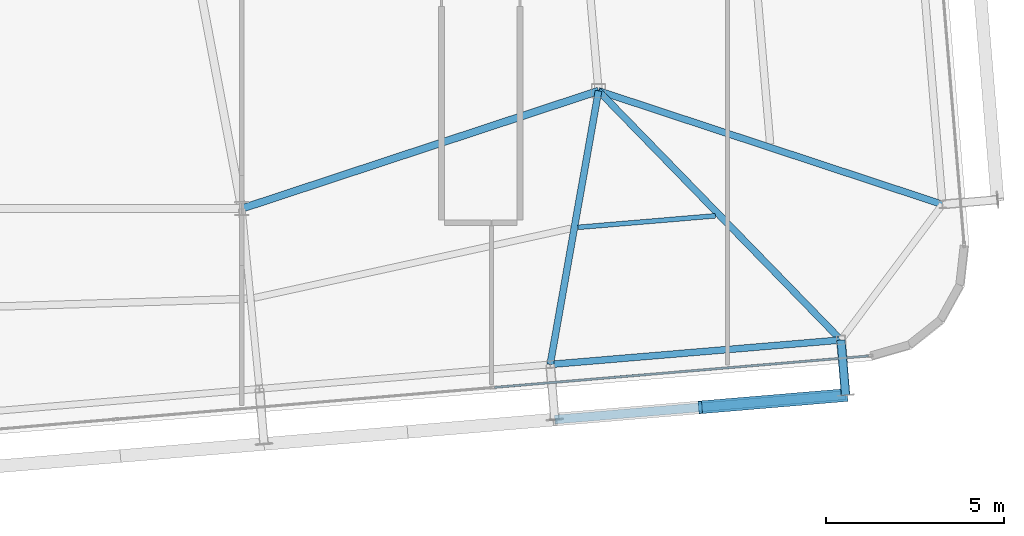
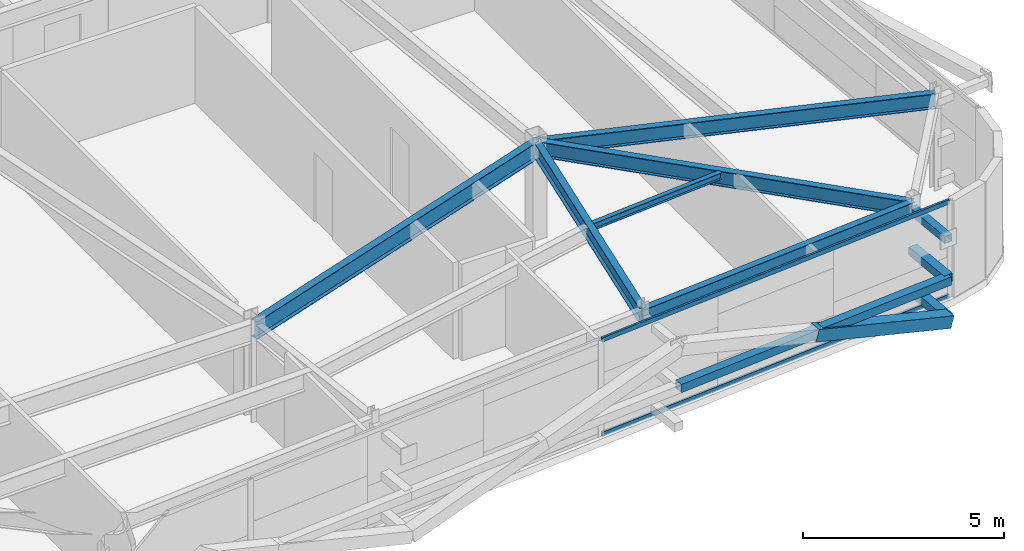
# One storey, part 17 of 37: 7 members, 6 beams, 1 element without a shape of its own.
"""IFC4 building model written with IfcOpenShell, lengths in metres."""

from ifc_helpers import new_model, si_unit, direction, frame, origin, origin_2d, place, context, subcontext, project, spatial, hollow_rectangle, i_section, extrude, source, transform, mapped, material, layer, layer_set, material_profile, profile_set, type_object, element, aggregate, save


model = new_model("IFC4")

# Units and contexts
model_context = context("Model", 3, precision=1e-05, world=origin(), true_north=direction((0.0, 1.0)))
body_context = subcontext(model_context, "Body", "Model", "MODEL_VIEW")
ifc_project = project(units=[si_unit("LENGTHUNIT", "METRE"), si_unit("AREAUNIT", "SQUARE_METRE"), si_unit("VOLUMEUNIT", "CUBIC_METRE"), si_unit("PLANEANGLEUNIT", "RADIAN"), si_unit("MASSUNIT", "GRAM", prefix="KILO")], contexts=[model_context])

# Site, building, storey
site_placement = place(None, origin())
site = spatial("IfcSite", under=ifc_project, at=site_placement, CompositionType="ELEMENT")
building_placement = place(site_placement, origin())
building = spatial("IfcBuilding", under=site, at=building_placement, Name="Taldren Reach Tower", CompositionType="ELEMENT")
storey_placement = place(building_placement, frame((0.0, 0.0, 182.0)))
storey = spatial("IfcBuildingStorey", under=building, at=storey_placement, Name="L55", CompositionType="ELEMENT", Elevation=182.0)

# Beam
ifc_material_1 = material(Name="Steel Gr 350 (350PLUS)", Category="steel")
ifc_material_profile_1 = material_profile(ifc_material_1, i_section(OverallWidth=0.208984375, OverallDepth=0.532958984375, WebThickness=0.01025390625, FlangeThickness=0.015625, at=origin_2d()), Name="530UB92.4")
ifc_profile_set_1 = profile_set([ifc_material_profile_1], Name="Steel Gr 350 (350PLUS)")
beam_type_1 = type_object("IfcBeamType", Name="BM-UB530A", PredefinedType="BEAM", material=ifc_profile_set_1)
shared_shape_1 = source(origin(), body_context, "Body", "SweptSolid", [
    extrude(i_section(OverallWidth=0.208984375, OverallDepth=0.532958984375, WebThickness=0.01025390625, FlangeThickness=0.015625, at=origin_2d()), origin(), (0.0, 0.0, 1.0), 10.530517578125),
])
beam_1_placement = place(storey_placement, frame((42.0, 9.199951171875, 2.66357421875), z_axis=(0.949627269203, 0.313381635689, 0.0), x_axis=(-0.313381635689, 0.949627269203, 0.0)))
element("IfcBeam", 1, at=beam_1_placement, inside=storey, type_object=beam_type_1, Name="Core-spine girder L55-SP12", PredefinedType="BEAM", context=body_context, shape_type="MappedRepresentation", body=[
    mapped(shared_shape_1, transform((0.0, 0.0, 0.0), scale=1.0)),
])

# Members
ifc_material_2 = material(Name="Steel Gr 350 (C350L0)", Category="steel")
ifc_material_profile_2 = material_profile(ifc_material_2, hollow_rectangle(XDim=0.25, YDim=0.25, WallThickness=0.010009765625, at=origin_2d()), Name="250x250x10.0SHS")
ifc_profile_set_2 = profile_set([ifc_material_profile_2], Name="Steel Gr 350 (C350L0)")
member_type_1 = type_object("IfcMemberType", Name="MB-POST250", PredefinedType="POST", material=ifc_profile_set_2)
shared_shape_2 = source(origin(), body_context, "Body", "SweptSolid", [
    extrude(hollow_rectangle(XDim=0.25, YDim=0.25, WallThickness=0.010009765625, at=origin_2d()), origin(), (0.0, 0.0, 1.0), 1.5498046875),
])
for number, where, z_axis, x_axis, name in (
    (2, (58.796142578125, 5.516357421875, 0.219970703125), (0.083801560254, -0.996482462715, 0.0), (0.996482462715, 0.083801560254, 0.0), "Exoskeleton base diaphragm tie strut B4-S6 L55"),
    (3, (58.796142578125, 5.516357421875, 1.43505859375), (0.083801560254, -0.996482462715, 0.0), (0.996482462715, 0.083801560254, 0.0), "Exoskeleton mid-tier diaphragm tie B4-S6 L55"),
):
    element("IfcMember", number, at=place(storey_placement, frame(where, z_axis=z_axis, x_axis=x_axis)), inside=storey, type_object=member_type_1, Name=name, PredefinedType="POST", context=body_context, shape_type="MappedRepresentation", body=[
        mapped(shared_shape_2, transform((0.0, 0.0, 0.0), scale=1.0)),
    ])

# Beams
ifc_material_profile_3 = material_profile(ifc_material_1, i_section(OverallWidth=0.18994140625, OverallDepth=0.4541015625, WebThickness=0.008544921875, FlangeThickness=0.0126953125, at=origin_2d()), Name="460UB67.1")
ifc_profile_set_3 = profile_set([ifc_material_profile_3], Name="Steel Gr 350 (350PLUS)")
beam_type_2 = type_object("IfcBeamType", Name="SP-UB460B", PredefinedType="SPANDREL", material=ifc_profile_set_3)
shared_shape_3 = source(origin(), body_context, "Body", "SweptSolid", [
    extrude(i_section(OverallWidth=0.18994140625, OverallDepth=0.4541015625, WebThickness=0.008544921875, FlangeThickness=0.0126953125, at=origin_2d()), origin(), (0.0, 0.0, 1.0), 8.179931640625),
])
beam_2_placement = place(storey_placement, frame((50.644775390625, 4.83203125, 2.702880859375), z_axis=(0.996494523218, 0.083658025296, 0.0), x_axis=(-0.083658025296, 0.996494523218, 0.0)))
element("IfcBeam", 4, at=beam_2_placement, inside=storey, type_object=beam_type_2, Name="Perimeter spandrel B4 S5-S6 L55", PredefinedType="SPANDREL", context=body_context, shape_type="MappedRepresentation", body=[
    mapped(shared_shape_3, transform((0.0, 0.0, 0.0), scale=1.0)),
])
ifc_material_profile_4 = material_profile(ifc_material_1, i_section(OverallWidth=0.19091796875, OverallDepth=0.4599609375, WebThickness=0.010009765625, FlangeThickness=0.01611328125, at=origin_2d()), Name="460UB82.1")
ifc_profile_set_4 = profile_set([ifc_material_profile_4], Name="Steel Gr 350 (350PLUS)")
beam_type_3 = type_object("IfcBeamType", Name="BM-UB460A", PredefinedType="BEAM", material=ifc_profile_set_4)
shared_shape_4 = source(origin(), body_context, "Body", "SweptSolid", [
    extrude(i_section(OverallWidth=0.19091796875, OverallDepth=0.4599609375, WebThickness=0.010009765625, FlangeThickness=0.01611328125, at=origin_2d()), origin(), (0.0, 0.0, 1.0), 7.786865234375),
])
beam_3_placement = place(storey_placement, frame((52.0, 12.5, 2.699951171875), z_axis=(-0.174041097858, -0.984738389755, 0.0), x_axis=(0.984738389755, -0.174041097858, 0.0)))
element("IfcBeam", 5, at=beam_3_placement, inside=storey, type_object=beam_type_3, Name="Primary floor girder B4-S5 L55", PredefinedType="BEAM", context=body_context, shape_type="MappedRepresentation", body=[
    mapped(shared_shape_4, transform((0.0, 0.0, 0.0), scale=1.0)),
])
shared_shape_5 = source(origin(), body_context, "Body", "SweptSolid", [
    extrude(i_section(OverallWidth=0.19091796875, OverallDepth=0.4599609375, WebThickness=0.010009765625, FlangeThickness=0.01611328125, at=origin_2d()), origin(), (0.0, 0.0, 1.0), 9.74462890625),
])
beam_4_placement = place(storey_placement, frame((52.0, 12.5, 2.699951171875), z_axis=(0.697420698235, -0.716661963323, 0.0), x_axis=(0.716661963323, 0.697420698235, 0.0)))
element("IfcBeam", 6, at=beam_4_placement, inside=storey, type_object=beam_type_3, Name="Primary floor girder B4-S6 L55", PredefinedType="BEAM", context=body_context, shape_type="MappedRepresentation", body=[
    mapped(shared_shape_5, transform((0.0, 0.0, 0.0), scale=1.0)),
])
shared_shape_6 = source(origin(), body_context, "Body", "SweptSolid", [
    extrude(i_section(OverallWidth=0.19091796875, OverallDepth=0.4599609375, WebThickness=0.010009765625, FlangeThickness=0.01611328125, at=origin_2d()), origin(), (0.0, 0.0, 1.0), 10.14990234375),
])
beam_5_placement = place(storey_placement, frame((52.0, 12.5, 2.699951171875), z_axis=(0.949576668396, -0.313534927619, 0.0), x_axis=(0.313534927619, 0.949576668396, 0.0)))
element("IfcBeam", 7, at=beam_5_placement, inside=storey, type_object=beam_type_3, Name="Primary floor girder B4-E1 L55", PredefinedType="BEAM", context=body_context, shape_type="MappedRepresentation", body=[
    mapped(shared_shape_6, transform((0.0, 0.0, 0.0), scale=1.0)),
])
ifc_material_3 = material(Name="Steel Gr 300 (300PLUS, 300 MPa)", Category="steel")
ifc_material_profile_5 = material_profile(ifc_material_3, i_section(OverallWidth=0.134033203125, OverallDepth=0.20703125, WebThickness=0.00634765625, FlangeThickness=0.009521484375, at=origin_2d()), Name="200UB29.8")
ifc_profile_set_5 = profile_set([ifc_material_profile_5], Name="Steel Gr 300 (300PLUS, 300 MPa)")
beam_type_4 = type_object("IfcBeamType", Name="JS-UB200", PredefinedType="JOIST", material=ifc_profile_set_5)
shared_shape_7 = source(origin(), body_context, "Body", "SweptSolid", [
    extrude(i_section(OverallWidth=0.134033203125, OverallDepth=0.20703125, WebThickness=0.00634765625, FlangeThickness=0.009521484375, at=origin_2d()), origin(), (0.0, 0.0, 1.0), 3.86767578125),
])
beam_6_placement = place(storey_placement, frame((51.4208984375, 8.67431640625, 2.826416015625), z_axis=(0.996495950743, 0.083641019557, 0.0), x_axis=(-0.083641019557, 0.996495950743, 0.0)))
element("IfcBeam", 8, at=beam_6_placement, inside=storey, type_object=beam_type_4, Name="Secondary floor joist B4 J5 L55", PredefinedType="JOIST", context=body_context, shape_type="MappedRepresentation", body=[
    mapped(shared_shape_7, transform((0.0, 0.0, 0.0), scale=1.0)),
])

# Members
ifc_material_4 = material(Name="Steel Gr 450 (C450L0)", Category="steel")
ifc_material_profile_6 = material_profile(ifc_material_4, hollow_rectangle(XDim=0.219970703125, YDim=0.219970703125, WallThickness=0.00830078125, at=origin_2d()), Name="220x220x8.2SHS")
ifc_profile_set_6 = profile_set([ifc_material_profile_6], Name="Steel Gr 450 (C450L0)")
member_type_2 = type_object("IfcMemberType", Name="MB-TIE219", PredefinedType="STRUT", material=ifc_profile_set_6)
shared_shape_8 = source(origin(), body_context, "Body", "SweptSolid", [
    extrude(hollow_rectangle(XDim=0.219970703125, YDim=0.219970703125, WallThickness=0.00830078125, at=origin_2d()), origin(), (0.0, 0.0, 1.0), 1.5498046875),
])
member_1_placement = place(storey_placement, frame((58.796142578125, 5.516357421875, 2.64990234375), z_axis=(0.083801560254, -0.996482462715, 0.0), x_axis=(0.996482462715, 0.083801560254, 0.0)))
element("IfcMember", 9, at=member_1_placement, inside=storey, type_object=member_type_2, Name="Exoskeleton diaphragm tie strut B4-S6 L55", PredefinedType="STRUT", context=body_context, shape_type="MappedRepresentation", body=[
    mapped(shared_shape_8, transform((0.0, 0.0, 0.0), scale=1.0)),
])
shared_shape_9 = source(origin(), body_context, "Body", "SweptSolid", [
    extrude(hollow_rectangle(XDim=0.25, YDim=0.25, WallThickness=0.010009765625, at=origin_2d()), origin(), (0.0, 0.0, 1.0), 8.18017578125),
])
member_2_placement = place(storey_placement, frame((50.774658203125, 3.287353515625, 1.43505859375), z_axis=(0.996492034688, 0.083687662192, 0.0), x_axis=(-0.083687662192, 0.996492034688, 0.0)))
element("IfcMember", 10, at=member_2_placement, inside=storey, type_object=member_type_1, Name="Exoskeleton mid-height ring chord B4-S5 L55", PredefinedType="POST", context=body_context, shape_type="MappedRepresentation", body=[
    mapped(shared_shape_9, transform((0.0, 0.0, 0.0), scale=1.0)),
])
ifc_material_profile_7 = material_profile(ifc_material_4, hollow_rectangle(XDim=0.360107421875, YDim=0.360107421875, WallThickness=0.0126953125, at=origin_2d()), Name="360x360x12.7SHS")
ifc_profile_set_7 = profile_set([ifc_material_profile_7], Name="Steel Gr 450 (C450L0)")
member_type_3 = type_object("IfcMemberType", Name="MB-EXO356", PredefinedType="BRACE", material=ifc_profile_set_7)
shared_shape_10 = source(origin(), body_context, "Body", "SweptSolid", [
    extrude(hollow_rectangle(XDim=0.360107421875, YDim=0.360107421875, WallThickness=0.0126953125, at=origin_2d()), origin(), (0.0, 0.0, 1.0), 4.2666015625),
])
member_3_placement = place(storey_placement, frame((58.926025390625, 3.971923828125, 0.219970703125), z_axis=(-0.955229159097, -0.080222312271, 0.284783486572), x_axis=(0.083687662192, -0.996492034688, 0.0)))
element("IfcMember", 11, at=member_3_placement, inside=storey, type_object=member_type_3, Name="Exoskeleton Diagrid Brace B4-S5 L55", PredefinedType="BRACE", context=body_context, shape_type="MappedRepresentation", body=[
    mapped(shared_shape_10, transform((0.0, 0.0, 0.0), scale=1.0)),
])

# Curtain wall, members
ifc_material_5 = material(Name="Aluminium and Low-E Glass Unitised System", Category="aluminium")
ifc_layer = layer(ifc_material_5, 0.159912109375)
ifc_layer_set = layer_set([ifc_layer], Name="Aluminium and Low-E Glass Unitised System")
curtain_wall_type = type_object("IfcCurtainWallType", Name="CW-SYS-5", PredefinedType="NOTDEFINED", material=ifc_layer_set)
curtain_wall_placement = place(storey_placement, origin())
curtain_wall = element("IfcCurtainWall", 12, at=curtain_wall_placement, inside=storey, type_object=curtain_wall_type, Name="Unitised curtain wall CW-L55-S", PredefinedType="NOTDEFINED")
ifc_material_6 = material(Name="Anodised Aluminium 6063-T6", Category="aluminium")
ifc_material_profile_8 = material_profile(ifc_material_6, hollow_rectangle(XDim=0.06005859375, YDim=0.135009765625, WallThickness=0.00341796875, at=origin_2d()), Name="ALU-135x60x3.5RHS")
ifc_profile_set_8 = profile_set([ifc_material_profile_8], Name="Anodised Aluminium 6063-T6")
member_type_4 = type_object("IfcMemberType", Name="CW-TRN-150", PredefinedType="USERDEFINED", material=ifc_profile_set_8)
shared_shape_11 = source(origin(), body_context, "Body", "SweptSolid", [
    extrude(hollow_rectangle(XDim=0.06005859375, YDim=0.135009765625, WallThickness=0.00341796875, at=origin_2d()), origin(), (0.0, 0.0, 1.0), 10.52001953125),
])
member_4_placement = place(storey_placement, frame((49.083251953125, 4.18896484375, 0.030029296875), z_axis=(0.996492256575, 0.08368502008, 0.0), x_axis=(-0.08368502008, 0.996492256575, 0.0)))
member_4 = element("IfcMember", 13, at=member_4_placement, type_object=member_type_4, Name="CW-5 transom 4.1", ObjectType="TRANSOM", PredefinedType="USERDEFINED", context=body_context, shape_type="MappedRepresentation", body=[
    mapped(shared_shape_11, transform((0.0, 0.0, 0.0), scale=1.0)),
])
member_5_placement = place(storey_placement, frame((49.083251953125, 4.18896484375, 2.89990234375), z_axis=(0.996492256575, 0.08368502008, 0.0), x_axis=(-0.08368502008, 0.996492256575, 0.0)))
member_5 = element("IfcMember", 14, at=member_5_placement, type_object=member_type_4, Name="CW-5 transom 4.2", ObjectType="TRANSOM", PredefinedType="USERDEFINED", context=body_context, shape_type="MappedRepresentation", body=[
    mapped(shared_shape_11, transform((0.0, 0.0, 0.0), scale=1.0)),
])
aggregate(curtain_wall, [member_4, member_5])

save(model, "model.ifc")
